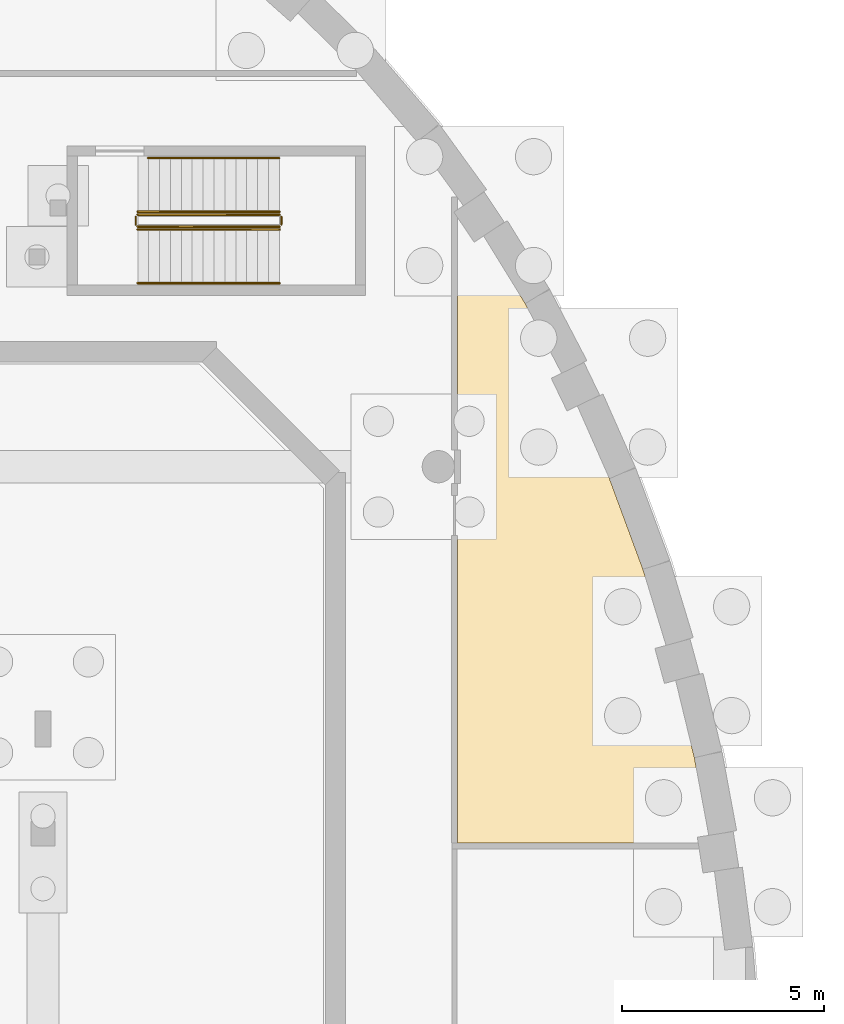
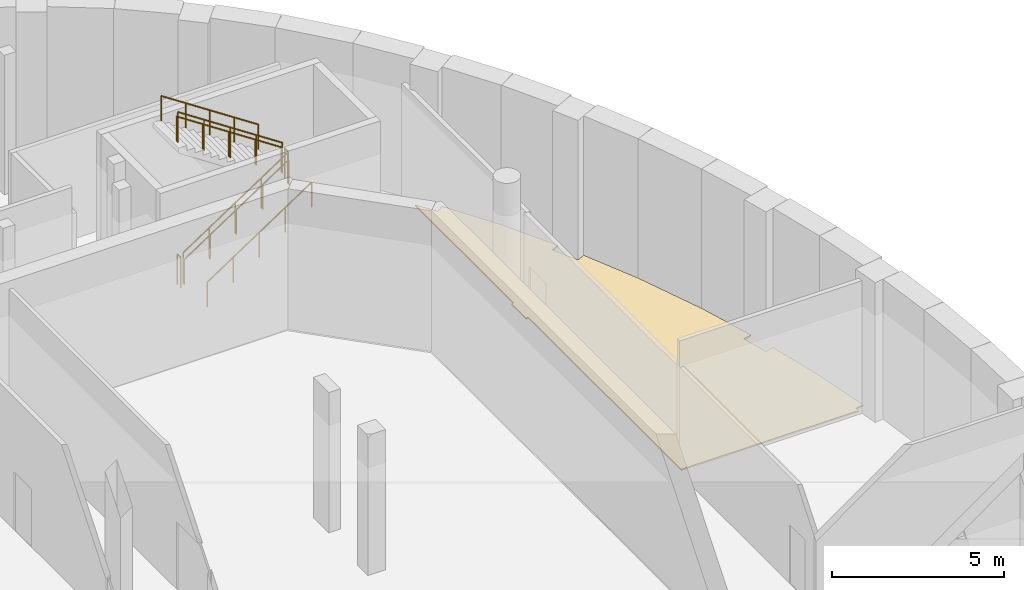
# One storey, part 32 of 33: 8 railings, 1 covering.
"""IFC4 building model written with IfcOpenShell, lengths in metres."""

from ifc_helpers import new_model, si_unit, direction, frame, origin, origin_2d, place, context, subcontext, project, spatial, polyline, circle, outline, extrude, material, layer, layer_set, type_object, element, save


model = new_model("IFC4")

# Units and contexts
model_context = context("Model", 3, precision=1e-05, world=origin(), true_north=direction((0.0, 1.0)))
body_context = subcontext(model_context, "Body", "Model", "MODEL_VIEW")
ifc_project = project(units=[si_unit("LENGTHUNIT", "METRE"), si_unit("AREAUNIT", "SQUARE_METRE"), si_unit("VOLUMEUNIT", "CUBIC_METRE"), si_unit("PLANEANGLEUNIT", "RADIAN"), si_unit("MASSUNIT", "GRAM", prefix="KILO")], contexts=[model_context])

# Site, building, storey
site_placement = place(None, origin())
site = spatial("IfcSite", under=ifc_project, at=site_placement, CompositionType="ELEMENT")
building_placement = place(site_placement, origin())
building = spatial("IfcBuilding", under=site, at=building_placement, Name="Larchfold Concert Hall", CompositionType="ELEMENT")
storey_placement = place(building_placement, frame((0.0, 0.0, -5.0)))
storey = spatial("IfcBuildingStorey", under=building, at=storey_placement, Name="B1", CompositionType="ELEMENT", Elevation=-5.0)

# Covering
ifc_material_1 = material(Name="Sealed cement screed")
ifc_layer = layer(ifc_material_1, 0.050048828125)
ifc_layer_set = layer_set([ifc_layer], Name="Sealed cement screed")
covering_type = type_object("IfcCoveringType", Name="Floor finish sealed screed 50", PredefinedType="FLOORING", material=ifc_layer_set)
covering_placement = place(storey_placement, origin())
element("IfcCovering", 1, at=covering_placement, inside=storey, type_object=covering_type, Name="Floor finish Hall Plant Room 04", PredefinedType="FLOORING", context=body_context, shape_type="SweptSolid", body=[
    extrude(outline(polyline([(59.80029296875, 101.81982421875), (59.80029296875, 100.97998046875), (59.87548828125, 100.97998046875), (59.8759765625, 92.074951171875), (65.843017578125, 92.074951171875), (65.82080078125, 92.216064453125), (66.10498046875, 92.260986328125), (65.746337890625, 94.194580078125), (65.283203125, 96.101806640625), (65.00634765625, 96.0263671875), (64.76953125, 96.89453125), (65.046142578125, 96.969970703125), (64.474853515625, 98.85107421875), (63.638427734375, 101.114501953125), (62.846923828125, 102.905517578125), (62.58984375, 102.781982421875), (62.199951171875, 103.59326171875), (62.45654296875, 103.716552734375), (61.54736328125, 105.456298828125), (60.52294921875, 107.120849609375), (60.287353515625, 106.963623046875), (59.875, 107.581298828125), (59.875244140625, 101.81982421875), (59.80029296875, 101.81982421875)])), origin(), (0.0, 0.0, 1.0), 0.050048828125),
])

# Railings
ifc_material_2 = material(Name="Stainless steel balustrade", Category="steel")
railing_type_1 = type_object("IfcRailingType", Name="Stair guard 1100", PredefinedType="GUARDRAIL", material=ifc_material_2)
railing_1_placement = place(storey_placement, frame((51.949951171875, 107.349853515625, 0.178466796875)))
element("IfcRailing", 2, at=railing_1_placement, inside=storey, type_object=railing_type_1, Name="Guard GR0001", PredefinedType="GUARDRAIL", context=body_context, shape_type="SweptSolid", body=[
    extrude(circle(Radius=0.02392578125, at=origin_2d()), frame((0.0, 0.0, 1.076171875), z_axis=(0.834070780157, 0.0, 0.551657442339), x_axis=(0.0, 1.0, 0.0)), (0.0, 0.0, 1.0), 4.208251953125),
    extrude(circle(Radius=0.02099609375, at=origin_2d()), origin(), (0.0, 0.0, 1.0), 1.052001953125),
    extrude(circle(Radius=0.02099609375, at=origin_2d()), frame((0.87744140625, 0.0, 0.580322265625)), (0.0, 0.0, 1.0), 1.052001953125),
    extrude(circle(Radius=0.02099609375, at=origin_2d()), frame((1.7548828125, 0.0, 1.16064453125)), (0.0, 0.0, 1.0), 1.052001953125),
    extrude(circle(Radius=0.02099609375, at=origin_2d()), frame((2.632568359375, 0.0, 1.7412109375)), (0.0, 0.0, 1.0), 1.052001953125),
    extrude(circle(Radius=0.02099609375, at=origin_2d()), frame((3.510009765625, 0.0, 2.321533203125)), (0.0, 0.0, 1.0), 1.052001953125),
])
railing_2_placement = place(storey_placement, frame((55.510009765625, 107.39990234375, 2.5)))
element("IfcRailing", 3, at=railing_2_placement, inside=storey, type_object=railing_type_1, Name="Guard GR0002", PredefinedType="GUARDRAIL", context=body_context, shape_type="SweptSolid", body=[
    extrude(circle(Radius=0.02392578125, at=origin_2d()), frame((0.0, 0.0, 1.076171875), z_axis=(0.0, 1.0, 0.0), x_axis=(-1.0, 0.0, 0.0)), (0.0, 0.0, 1.0), 0.199951171875),
    extrude(circle(Radius=0.02099609375, at=origin_2d()), origin(), (0.0, 0.0, 1.0), 1.052001953125),
    extrude(circle(Radius=0.02099609375, at=origin_2d()), frame((0.0, 0.199951171875, 0.0)), (0.0, 0.0, 1.0), 1.052001953125),
])
railing_3_placement = place(storey_placement, frame((55.4599609375, 107.64990234375, 2.678466796875)))
element("IfcRailing", 4, at=railing_3_placement, inside=storey, type_object=railing_type_1, Name="Guard GR0003", PredefinedType="GUARDRAIL", context=body_context, shape_type="SweptSolid", body=[
    extrude(circle(Radius=0.02392578125, at=origin_2d()), frame((0.0, 0.0, 1.076171875), z_axis=(-0.834070780157, 0.0, 0.551657442339), x_axis=(0.0, -1.0, 0.0)), (0.0, 0.0, 1.0), 4.208251953125),
    extrude(circle(Radius=0.02099609375, at=origin_2d()), origin(), (0.0, 0.0, 1.0), 1.052001953125),
    extrude(circle(Radius=0.02099609375, at=origin_2d()), frame((-0.87744140625, 0.0, 0.580322265625)), (0.0, 0.0, 1.0), 1.052001953125),
    extrude(circle(Radius=0.02099609375, at=origin_2d()), frame((-1.7548828125, 0.0, 1.16064453125)), (0.0, 0.0, 1.0), 1.052001953125),
    extrude(circle(Radius=0.02099609375, at=origin_2d()), frame((-2.632568359375, 0.0, 1.7412109375)), (0.0, 0.0, 1.0), 1.052001953125),
    extrude(circle(Radius=0.02099609375, at=origin_2d()), frame((-3.510009765625, 0.0, 2.321533203125)), (0.0, 0.0, 1.0), 1.052001953125),
])
railing_4_placement = place(storey_placement, frame((51.89990234375, 107.39990234375, 0.0)))
element("IfcRailing", 5, at=railing_4_placement, inside=storey, type_object=railing_type_1, Name="Guard GR0004", PredefinedType="GUARDRAIL", context=body_context, shape_type="SweptSolid", body=[
    extrude(circle(Radius=0.02392578125, at=origin_2d()), frame((0.0, 0.0, 1.076171875), z_axis=(0.0, 1.0, 0.0), x_axis=(-1.0, 0.0, 0.0)), (0.0, 0.0, 1.0), 0.199951171875),
    extrude(circle(Radius=0.02099609375, at=origin_2d()), origin(), (0.0, 0.0, 1.0), 1.052001953125),
    extrude(circle(Radius=0.02099609375, at=origin_2d()), frame((0.0, 0.199951171875, 0.0)), (0.0, 0.0, 1.0), 1.052001953125),
])
ifc_material_3 = material(Name="Stainless steel handrail", Category="steel")
railing_type_2 = type_object("IfcRailingType", Name="Stair handrail 900", PredefinedType="HANDRAIL", material=ifc_material_3)
railing_5_placement = place(storey_placement, frame((51.949951171875, 105.949951171875, 0.178466796875)))
element("IfcRailing", 6, at=railing_5_placement, inside=storey, type_object=railing_type_2, Name="Handrail HR0001", PredefinedType="HANDRAIL", context=body_context, shape_type="SweptSolid", body=[
    extrude(circle(Radius=0.02392578125, at=origin_2d()), frame((0.0, 0.0, 0.8759765625), z_axis=(0.834070780157, 0.0, 0.551657442339), x_axis=(0.0, 1.0, 0.0)), (0.0, 0.0, 1.0), 4.208251953125),
    extrude(circle(Radius=0.02099609375, at=origin_2d()), origin(), (0.0, 0.0, 1.0), 0.851806640625),
    extrude(circle(Radius=0.02099609375, at=origin_2d()), frame((0.87744140625, 0.0, 0.580322265625)), (0.0, 0.0, 1.0), 0.851806640625),
    extrude(circle(Radius=0.02099609375, at=origin_2d()), frame((1.7548828125, 0.0, 1.16064453125)), (0.0, 0.0, 1.0), 0.851806640625),
    extrude(circle(Radius=0.02099609375, at=origin_2d()), frame((2.632568359375, 0.0, 1.7412109375)), (0.0, 0.0, 1.0), 0.851806640625),
    extrude(circle(Radius=0.02099609375, at=origin_2d()), frame((3.510009765625, 0.0, 2.321533203125)), (0.0, 0.0, 1.0), 0.851806640625),
])
railing_6_placement = place(storey_placement, frame((55.4599609375, 109.0498046875, 2.678466796875)))
element("IfcRailing", 7, at=railing_6_placement, inside=storey, type_object=railing_type_2, Name="Handrail HR0002", PredefinedType="HANDRAIL", context=body_context, shape_type="SweptSolid", body=[
    extrude(circle(Radius=0.02392578125, at=origin_2d()), frame((0.0, 0.0, 0.8759765625), z_axis=(-0.834053529539, 0.0, 0.551683523284), x_axis=(0.0, -1.0, 0.0)), (0.0, 0.0, 1.0), 3.907958984375),
    extrude(circle(Radius=0.02099609375, at=origin_2d()), origin(), (0.0, 0.0, 1.0), 0.851806640625),
    extrude(circle(Radius=0.02099609375, at=origin_2d()), frame((-0.81494140625, 0.0, 0.5390625)), (0.0, 0.0, 1.0), 0.851806640625),
    extrude(circle(Radius=0.02099609375, at=origin_2d()), frame((-1.6298828125, 0.0, 1.078125)), (0.0, 0.0, 1.0), 0.851806640625),
    extrude(circle(Radius=0.02099609375, at=origin_2d()), frame((-2.444580078125, 0.0, 1.616943359375)), (0.0, 0.0, 1.0), 0.851806640625),
    extrude(circle(Radius=0.02099609375, at=origin_2d()), frame((-3.259521484375, 0.0, 2.156005859375)), (0.0, 0.0, 1.0), 0.851806640625),
])
railing_7_placement = place(storey_placement, frame((51.949951171875, 107.27978515625, 0.178466796875)))
element("IfcRailing", 8, at=railing_7_placement, inside=storey, type_object=railing_type_2, Name="Handrail HR0003", PredefinedType="HANDRAIL", context=body_context, shape_type="SweptSolid", body=[
    extrude(circle(Radius=0.02392578125, at=origin_2d()), frame((0.0, 0.0, 0.8759765625), z_axis=(0.834070780157, 0.0, 0.551657442339), x_axis=(0.0, 1.0, 0.0)), (0.0, 0.0, 1.0), 4.208251953125),
    extrude(circle(Radius=0.02099609375, at=origin_2d()), origin(), (0.0, 0.0, 1.0), 0.851806640625),
    extrude(circle(Radius=0.02099609375, at=origin_2d()), frame((0.87744140625, 0.0, 0.580322265625)), (0.0, 0.0, 1.0), 0.851806640625),
    extrude(circle(Radius=0.02099609375, at=origin_2d()), frame((1.7548828125, 0.0, 1.16064453125)), (0.0, 0.0, 1.0), 0.851806640625),
    extrude(circle(Radius=0.02099609375, at=origin_2d()), frame((2.632568359375, 0.0, 1.7412109375)), (0.0, 0.0, 1.0), 0.851806640625),
    extrude(circle(Radius=0.02099609375, at=origin_2d()), frame((3.510009765625, 0.0, 2.321533203125)), (0.0, 0.0, 1.0), 0.851806640625),
])
railing_8_placement = place(storey_placement, frame((55.4599609375, 107.719970703125, 2.678466796875)))
element("IfcRailing", 9, at=railing_8_placement, inside=storey, type_object=railing_type_2, Name="Handrail HR0004", PredefinedType="HANDRAIL", context=body_context, shape_type="SweptSolid", body=[
    extrude(circle(Radius=0.02392578125, at=origin_2d()), frame((0.0, 0.0, 0.8759765625), z_axis=(-0.834070780157, 0.0, 0.551657442339), x_axis=(0.0, -1.0, 0.0)), (0.0, 0.0, 1.0), 4.208251953125),
    extrude(circle(Radius=0.02099609375, at=origin_2d()), origin(), (0.0, 0.0, 1.0), 0.851806640625),
    extrude(circle(Radius=0.02099609375, at=origin_2d()), frame((-0.87744140625, 0.0, 0.580322265625)), (0.0, 0.0, 1.0), 0.851806640625),
    extrude(circle(Radius=0.02099609375, at=origin_2d()), frame((-1.7548828125, 0.0, 1.16064453125)), (0.0, 0.0, 1.0), 0.851806640625),
    extrude(circle(Radius=0.02099609375, at=origin_2d()), frame((-2.632568359375, 0.0, 1.7412109375)), (0.0, 0.0, 1.0), 0.851806640625),
    extrude(circle(Radius=0.02099609375, at=origin_2d()), frame((-3.510009765625, 0.0, 2.321533203125)), (0.0, 0.0, 1.0), 0.851806640625),
])

save(model, "model.ifc")
